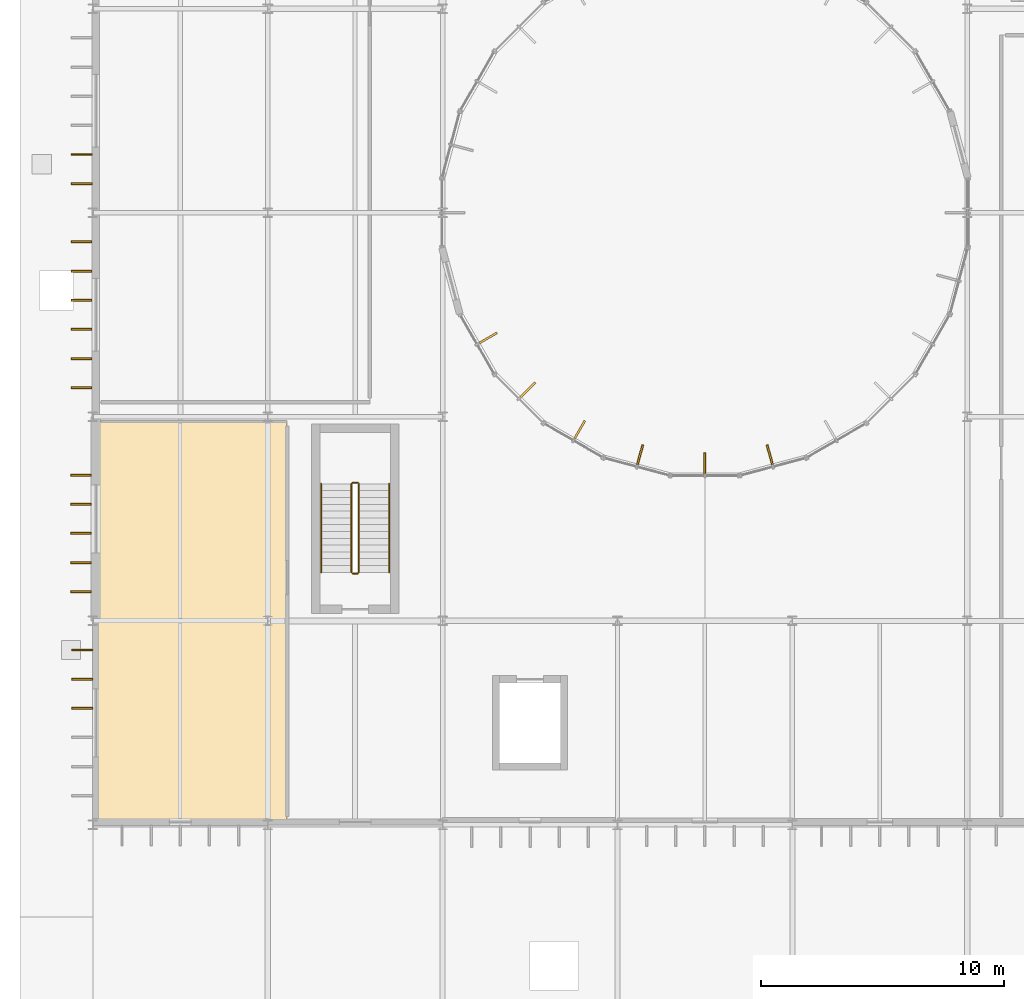
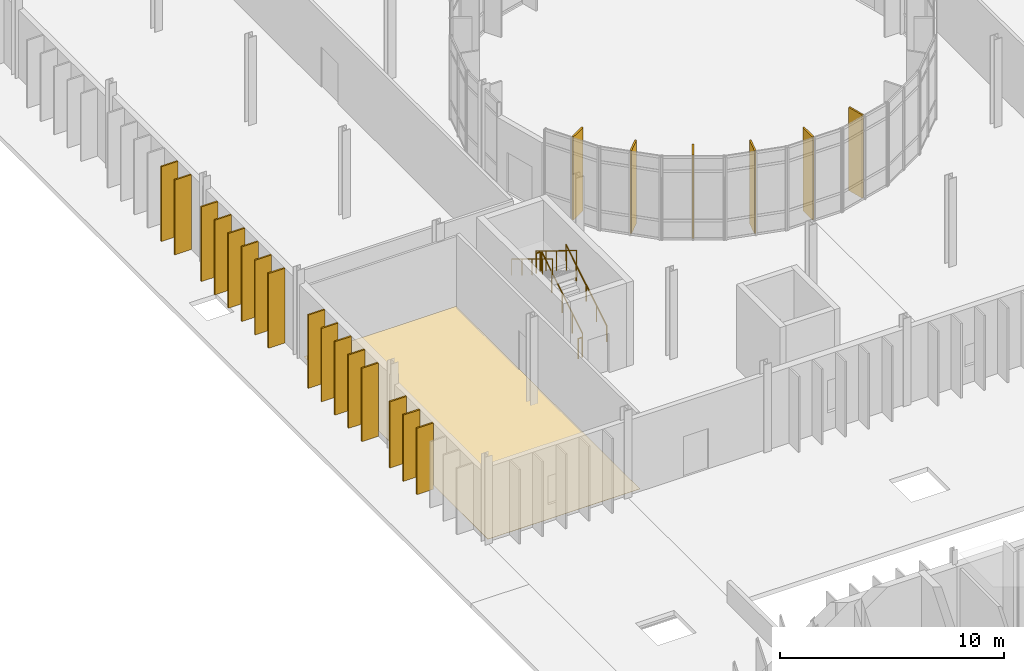
# One storey, part 107 of 118: 22 shading devices, 6 railings, 1 covering.
"""IFC4 building model written with IfcOpenShell, lengths in metres."""

import ifcopenshell
import ifcopenshell.guid

model = None  # the IFC model being written
_history = None  # IfcOwnerHistory: only IFC2X3 demands one
_inside = {}  # id of a spatial element -> (the spatial element, [elements in it])
_under = {}  # id of a project, library or spatial element -> (it, [spatial elements below it])
_declared = {}  # id of a project -> (the project, [libraries it declares])
_typed = {}  # id of a type object -> (the type object, [elements of that type])
_made_of = {}  # id of a material, layer set ... -> (it, [elements and type objects made of it])


def new_model(schema):
    """Start an empty IFC model of exactly this schema.

    Asked for "IFC4X3", IfcOpenShell would pick the latest addendum, in which some entities
    have other attributes; the version numbers below select the first issue.
    IFC2X3 requires an IfcOwnerHistory on every rooted entity: one is made here for all.
    """
    global model, _history
    if schema == "IFC4X3":
        model = ifcopenshell.file(schema_version=(4, 3, 0, 0))
    else:
        model = ifcopenshell.file(schema=schema)
    _inside.clear()
    _under.clear()
    _declared.clear()
    _typed.clear()
    _made_of.clear()
    _history = None
    if model.schema == "IFC2X3":
        org = make("IfcOrganization", Name="unknown")
        user = make(
            "IfcPersonAndOrganization",
            ThePerson=make("IfcPerson", FamilyName="unknown"),
            TheOrganization=org,
        )
        app = make(
            "IfcApplication",
            ApplicationDeveloper=org,
            Version="unknown",
            ApplicationFullName="unknown",
            ApplicationIdentifier="unknown",
        )
        _history = make(
            "IfcOwnerHistory",
            OwningUser=user,
            OwningApplication=app,
            ChangeAction="ADDED",
            CreationDate=0,
        )
    return model


def make(cls, **values):
    """One entity of the class cls with the attributes given. An attribute that is None is left unset."""
    return model.create_entity(
        cls, **{name: value for name, value in values.items() if value is not None}
    )


def rooted(cls, **values):
    """An entity with a GlobalId (a new one), such as an element, a storey or a relation."""
    return make(cls, GlobalId=ifcopenshell.guid.new(), OwnerHistory=_history, **values)


def si_unit(unit_type, name, prefix=None):
    """IfcSIUnit, for example si_unit("LENGTHUNIT", "METRE", prefix="MILLI")."""
    return make("IfcSIUnit", UnitType=unit_type, Prefix=prefix, Name=name)


def assignment(units):
    """IfcUnitAssignment: the units of a project."""
    return None if units is None else make("IfcUnitAssignment", Units=units)


def point(xyz):
    """IfcCartesianPoint."""
    return None if xyz is None else make("IfcCartesianPoint", Coordinates=xyz)


def direction(xyz):
    """IfcDirection."""
    return None if xyz is None else make("IfcDirection", DirectionRatios=xyz)


def frame(location, z_axis=None, x_axis=None):
    """IfcAxis2Placement3D, a coordinate frame: its origin and axes. An axis left out is left unset."""
    return make(
        "IfcAxis2Placement3D",
        Location=point(location),
        Axis=direction(z_axis),
        RefDirection=direction(x_axis),
    )


def frame_2d(location, x_axis=None):
    """IfcAxis2Placement2D, a coordinate frame in the plane: its origin and x axis."""
    return make(
        "IfcAxis2Placement2D", Location=point(location), RefDirection=direction(x_axis)
    )


def origin():
    """The frame at (0, 0, 0) with its axes left unset."""
    return frame((0.0, 0.0, 0.0))


def origin_2d():
    """The frame at (0, 0) in the plane with its x axis left unset."""
    return frame_2d((0.0, 0.0))


def place(relative_to, where):
    """IfcLocalPlacement: puts the frame where relative to a parent placement (None: the world)."""
    return make(
        "IfcLocalPlacement", PlacementRelTo=relative_to, RelativePlacement=where
    )


def context(
    kind, dimensions, precision=None, world=None, true_north=None, identifier=None
):
    """IfcGeometricRepresentationContext, for example the 3D "Model" context."""
    return make(
        "IfcGeometricRepresentationContext",
        ContextIdentifier=identifier,
        ContextType=kind,
        CoordinateSpaceDimension=dimensions,
        Precision=precision,
        WorldCoordinateSystem=world,
        TrueNorth=true_north,
    )


def subcontext(parent, identifier, kind, view, scale=None):
    """IfcGeometricRepresentationSubContext, for example "Body" below "Model"."""
    return make(
        "IfcGeometricRepresentationSubContext",
        ContextIdentifier=identifier,
        ContextType=kind,
        ParentContext=parent,
        TargetScale=scale,
        TargetView=view,
    )


def project(units=None, contexts=None):
    """IfcProject with its units and contexts."""
    return rooted(
        "IfcProject",
        Name="project",
        RepresentationContexts=contexts,
        UnitsInContext=assignment(units),
    )


def spatial(cls, under=None, at=None, **own):
    """A site, building, storey or space (cls), placed at a placement, below another one or the project."""
    s = rooted(cls, ObjectPlacement=at, **own)
    if under is not None:
        _under.setdefault(under.id(), (under, []))[1].append(s)
    return s


def polyline(points):
    """IfcPolyline through the points."""
    return make("IfcPolyline", Points=[point(p) for p in points])


def profile(cls, at=None, kind="AREA", **sizes):
    """A parametric profile (cls). Its sizes go by their IFC names, for example OverallWidth=200.0."""
    return make(cls, ProfileType=kind, Position=at, **sizes)


def rectangle(**sizes):
    """IfcRectangleProfileDef."""
    return profile("IfcRectangleProfileDef", **sizes)


def circle(**sizes):
    """IfcCircleProfileDef."""
    return profile("IfcCircleProfileDef", **sizes)


def outline(outer, holes=None, kind="AREA"):
    """IfcArbitraryClosedProfileDef: a profile drawn as a closed curve; with holes, ...WithVoids."""
    if holes is None:
        return make("IfcArbitraryClosedProfileDef", ProfileType=kind, OuterCurve=outer)
    return make(
        "IfcArbitraryProfileDefWithVoids",
        ProfileType=kind,
        OuterCurve=outer,
        InnerCurves=holes,
    )


def extrude(swept, where, along, depth):
    """IfcExtrudedAreaSolid: the profile swept, set in the frame where, extruded along a direction by depth."""
    return make(
        "IfcExtrudedAreaSolid",
        SweptArea=swept,
        Position=where,
        ExtrudedDirection=direction(along),
        Depth=depth,
    )


def shape(context_of_items, identifier, shape_type, items):
    """IfcShapeRepresentation: the items that make up one representation, for example the "Body"."""
    return make(
        "IfcShapeRepresentation",
        ContextOfItems=context_of_items,
        RepresentationIdentifier=identifier,
        RepresentationType=shape_type,
        Items=items,
    )


def material(Name=None, Category=None):
    """IfcMaterial."""
    return make("IfcMaterial", Name=Name, Category=Category)


def layer(
    of_material, thickness, ventilated=None, Name=None, Category=None, Priority=None
):
    """IfcMaterialLayer: one layer of a wall or slab, of a material (None: an air gap)."""
    return make(
        "IfcMaterialLayer",
        Material=of_material,
        LayerThickness=thickness,
        IsVentilated=ventilated,
        Name=Name,
        Category=Category,
        Priority=Priority,
    )


def layer_set(layers, Name=None):
    """IfcMaterialLayerSet."""
    return make("IfcMaterialLayerSet", MaterialLayers=layers, LayerSetName=Name)


def made_of(thing, what):
    """Note that an element or type object is made of a material, layer set ...; save() writes the relation."""
    if what is not None:
        _made_of.setdefault(what.id(), (what, []))[1].append(thing)
    return thing


def type_object(cls, material=None, **own):
    """A type object (cls), such as IfcWallType, which elements share."""
    return made_of(rooted(cls, **own), material)


def element(
    cls,
    number,
    at=None,
    inside=None,
    cuts=None,
    type_object=None,
    material=None,
    context=None,
    identifier="Body",
    shape_type=None,
    held_by="IfcProductDefinitionShape",
    body=None,
    shapes=None,
    **own,
):
    """One element of the class cls, such as IfcWall. Its Tag is "e" and its number.

    at: its placement. inside: the storey or other place that contains it. cuts: it is an
    opening in that element (IfcRelVoidsElement). A single representation is given by context,
    identifier, shape_type and body (its items); several are given by shapes. held_by: the class
    of the entity that holds the representations. save() writes the other relations.
    """
    e = rooted(cls, Tag="e%d" % number, ObjectPlacement=at, **own)
    if body is not None:
        shapes = [shape(context, identifier, shape_type, body)]
    if shapes is not None:
        e.Representation = make(held_by, Representations=shapes)
    if inside is not None:
        _inside.setdefault(inside.id(), (inside, []))[1].append(e)
    if cuts is not None:
        rooted(
            "IfcRelVoidsElement", RelatingBuildingElement=cuts, RelatedOpeningElement=e
        )
    if type_object is not None:
        _typed.setdefault(type_object.id(), (type_object, []))[1].append(e)
    return made_of(e, material)


def aggregate(whole, parts):
    """IfcRelAggregates: a whole, such as a stair, and the parts it consists of."""
    return rooted("IfcRelAggregates", RelatingObject=whole, RelatedObjects=parts)


def save(model, path):
    """Write the relations noted so far, then the file.

    IfcRelAggregates (storeys below a building ...), IfcRelContainedInSpatialStructure (elements
    in a storey), IfcRelDefinesByType, IfcRelAssociatesMaterial and IfcRelDeclares: one each for
    every whole, place, type object, material and project.
    """
    for whole, parts in _under.values():
        aggregate(whole, parts)
    for where, things in _inside.values():
        rooted(
            "IfcRelContainedInSpatialStructure",
            RelatedElements=things,
            RelatingStructure=where,
        )
    for kind, things in _typed.values():
        rooted("IfcRelDefinesByType", RelatedObjects=things, RelatingType=kind)
    for what, things in _made_of.values():
        rooted("IfcRelAssociatesMaterial", RelatedObjects=things, RelatingMaterial=what)
    for by, libraries in _declared.values():
        rooted("IfcRelDeclares", RelatingContext=by, RelatedDefinitions=libraries)
    model.write(path)


model = new_model("IFC4")

# Units and contexts
model_context = context("Model", 3, precision=1e-05, world=origin(), true_north=direction((0.0, 1.0)))
body_context = subcontext(model_context, "Body", "Model", "MODEL_VIEW")
ifc_project = project(units=[si_unit("LENGTHUNIT", "METRE"), si_unit("AREAUNIT", "SQUARE_METRE"), si_unit("VOLUMEUNIT", "CUBIC_METRE"), si_unit("PLANEANGLEUNIT", "RADIAN"), si_unit("MASSUNIT", "GRAM", prefix="KILO")], contexts=[model_context])

# Site, building, storey
site_placement = place(None, origin())
site = spatial("IfcSite", under=ifc_project, at=site_placement, CompositionType="ELEMENT")
building_placement = place(site_placement, origin())
building = spatial("IfcBuilding", under=site, at=building_placement, Name="Qelthora Terrace Specialist Clinic", CompositionType="ELEMENT")
storey_placement = place(building_placement, origin())
storey = spatial("IfcBuildingStorey", under=building, at=storey_placement, Name="L00", CompositionType="ELEMENT", Elevation=0.0)

# Covering
ifc_material_1 = material(Name="Antimicrobial clinical linoleum flooring", Category="other")
ifc_layer = layer(ifc_material_1, 0.011962890625)
ifc_layer_set = layer_set([ifc_layer], Name="Antimicrobial clinical linoleum flooring")
covering_type = type_object("IfcCoveringType", Name="COV-FLR-LINO-12", PredefinedType="FLOORING", material=ifc_layer_set)
covering_placement = place(storey_placement, origin())
element("IfcCovering", 1, at=covering_placement, inside=storey, type_object=covering_type, Name="Outpatient Specimen and Triage Booths L00-53 resilient linoleum flooring", PredefinedType="FLOORING", context=body_context, shape_type="SweptSolid", body=[
    extrude(outline(polyline([(0.14990234375, 58.949951171875), (0.14990234375, 75.39990234375), (8.0, 75.39990234375), (8.0, 58.949951171875), (0.14990234375, 58.949951171875)])), origin(), (0.0, 0.0, 1.0), 0.011962890625),
])

# Railings
ifc_material_2 = material(Name="Steel S355", Category="steel")
railing_type_1 = type_object("IfcRailingType", Name="RAL-GD-1100-S355", PredefinedType="GUARDRAIL", material=ifc_material_2)
railing_1_placement = place(storey_placement, frame((10.949951171875, 69.199951171875, 0.17138671875)))
element("IfcRailing", 2, at=railing_1_placement, inside=storey, type_object=railing_type_1, Name="L00 ST-01 stair guard 1", PredefinedType="GUARDRAIL", context=body_context, shape_type="SweptSolid", body=[
    extrude(circle(Radius=0.02392578125, at=origin_2d()), frame((0.0, 0.0, 1.076171875), z_axis=(0.0, 0.852865859571, 0.52213008492), x_axis=(-1.0, 0.0, 0.0)), (0.0, 0.0, 1.0), 4.26806640625),
    extrude(circle(Radius=0.02099609375, at=origin_2d()), origin(), (0.0, 0.0, 1.0), 1.052001953125),
    extrude(circle(Radius=0.02099609375, at=origin_2d()), frame((0.0, 0.91015625, 0.55712890625)), (0.0, 0.0, 1.0), 1.052001953125),
    extrude(circle(Radius=0.02099609375, at=origin_2d()), frame((0.0, 1.820068359375, 1.1142578125)), (0.0, 0.0, 1.0), 1.052001953125),
    extrude(circle(Radius=0.02099609375, at=origin_2d()), frame((0.0, 2.72998046875, 1.67138671875)), (0.0, 0.0, 1.0), 1.052001953125),
    extrude(circle(Radius=0.02099609375, at=origin_2d()), frame((0.0, 3.64013671875, 2.228515625)), (0.0, 0.0, 1.0), 1.052001953125),
])
railing_2_placement = place(storey_placement, frame((10.89990234375, 72.889892578125, 2.39990234375)))
element("IfcRailing", 3, at=railing_2_placement, inside=storey, type_object=railing_type_1, Name="L00 ST-01 stair guard 2", PredefinedType="GUARDRAIL", context=body_context, shape_type="SweptSolid", body=[
    extrude(circle(Radius=0.02392578125, at=origin_2d()), frame((0.0, 0.0, 1.076171875), z_axis=(-1.0, 0.0, 0.0), x_axis=(0.0, -1.0, 0.0)), (0.0, 0.0, 1.0), 0.199951171875),
    extrude(circle(Radius=0.02099609375, at=origin_2d()), origin(), (0.0, 0.0, 1.0), 1.052001953125),
    extrude(circle(Radius=0.02099609375, at=origin_2d()), frame((-0.199951171875, 0.0, 0.0)), (0.0, 0.0, 1.0), 1.052001953125),
])
railing_3_placement = place(storey_placement, frame((10.64990234375, 72.840087890625, 2.571533203125)))
element("IfcRailing", 4, at=railing_3_placement, inside=storey, type_object=railing_type_1, Name="L00 ST-01 stair guard 3", PredefinedType="GUARDRAIL", context=body_context, shape_type="SweptSolid", body=[
    extrude(circle(Radius=0.02392578125, at=origin_2d()), frame((0.0, 0.0, 1.076171875), z_axis=(0.0, -0.852865859571, 0.52213008492), x_axis=(1.0, 0.0, 0.0)), (0.0, 0.0, 1.0), 4.26806640625),
    extrude(circle(Radius=0.02099609375, at=origin_2d()), origin(), (0.0, 0.0, 1.0), 1.052001953125),
    extrude(circle(Radius=0.02099609375, at=origin_2d()), frame((0.0, -0.91015625, 0.55712890625)), (0.0, 0.0, 1.0), 1.052001953125),
    extrude(circle(Radius=0.02099609375, at=origin_2d()), frame((0.0, -1.820068359375, 1.1142578125)), (0.0, 0.0, 1.0), 1.052001953125),
    extrude(circle(Radius=0.02099609375, at=origin_2d()), frame((0.0, -2.72998046875, 1.67138671875)), (0.0, 0.0, 1.0), 1.052001953125),
    extrude(circle(Radius=0.02099609375, at=origin_2d()), frame((0.0, -3.64013671875, 2.228515625)), (0.0, 0.0, 1.0), 1.052001953125),
])
railing_4_placement = place(storey_placement, frame((10.89990234375, 69.14990234375, 0.0)))
element("IfcRailing", 5, at=railing_4_placement, inside=storey, type_object=railing_type_1, Name="L00 ST-01 stair guard 4", PredefinedType="GUARDRAIL", context=body_context, shape_type="SweptSolid", body=[
    extrude(circle(Radius=0.02392578125, at=origin_2d()), frame((0.0, 0.0, 1.076171875), z_axis=(-1.0, 0.0, 0.0), x_axis=(0.0, -1.0, 0.0)), (0.0, 0.0, 1.0), 0.199951171875),
    extrude(circle(Radius=0.02099609375, at=origin_2d()), origin(), (0.0, 0.0, 1.0), 1.052001953125),
    extrude(circle(Radius=0.02099609375, at=origin_2d()), frame((-0.199951171875, 0.0, 0.0)), (0.0, 0.0, 1.0), 1.052001953125),
])
railing_type_2 = type_object("IfcRailingType", Name="RAL-HR-900-S355", PredefinedType="HANDRAIL", material=ifc_material_2)
railing_5_placement = place(storey_placement, frame((12.199951171875, 69.199951171875, 0.36083984375)))
element("IfcRailing", 6, at=railing_5_placement, inside=storey, type_object=railing_type_2, Name="L00 ST-01 stair handrail 1", PredefinedType="HANDRAIL", context=body_context, shape_type="SweptSolid", body=[
    extrude(circle(Radius=0.02392578125, at=origin_2d()), frame((0.0, 0.0, 0.8759765625), z_axis=(0.0, 0.852865859571, 0.52213008492), x_axis=(-1.0, 0.0, 0.0)), (0.0, 0.0, 1.0), 4.26806640625),
    extrude(circle(Radius=0.02099609375, at=origin_2d()), origin(), (0.0, 0.0, 1.0), 0.851806640625),
    extrude(circle(Radius=0.02099609375, at=origin_2d()), frame((0.0, 0.91015625, 0.55712890625)), (0.0, 0.0, 1.0), 0.851806640625),
    extrude(circle(Radius=0.02099609375, at=origin_2d()), frame((0.0, 1.820068359375, 1.1142578125)), (0.0, 0.0, 1.0), 0.851806640625),
    extrude(circle(Radius=0.02099609375, at=origin_2d()), frame((0.0, 2.72998046875, 1.67138671875)), (0.0, 0.0, 1.0), 0.851806640625),
    extrude(circle(Radius=0.02099609375, at=origin_2d()), frame((0.0, 3.64013671875, 2.228515625)), (0.0, 0.0, 1.0), 0.851806640625),
])
railing_6_placement = place(storey_placement, frame((9.39990234375, 72.840087890625, 2.7607421875)))
element("IfcRailing", 7, at=railing_6_placement, inside=storey, type_object=railing_type_2, Name="L00 ST-01 stair handrail 2", PredefinedType="HANDRAIL", context=body_context, shape_type="SweptSolid", body=[
    extrude(circle(Radius=0.02392578125, at=origin_2d()), frame((0.0, 0.0, 0.8759765625), z_axis=(0.0, -0.852840387347, 0.522171689878), x_axis=(1.0, 0.0, 0.0)), (0.0, 0.0, 1.0), 4.268310546875),
    extrude(circle(Radius=0.02099609375, at=origin_2d()), origin(), (0.0, 0.0, 1.0), 0.851806640625),
    extrude(circle(Radius=0.02099609375, at=origin_2d()), frame((0.0, -0.91015625, 0.55712890625)), (0.0, 0.0, 1.0), 0.851806640625),
    extrude(circle(Radius=0.02099609375, at=origin_2d()), frame((0.0, -1.820068359375, 1.1142578125)), (0.0, 0.0, 1.0), 0.851806640625),
    extrude(circle(Radius=0.02099609375, at=origin_2d()), frame((0.0, -2.72998046875, 1.671630859375)), (0.0, 0.0, 1.0), 0.851806640625),
    extrude(circle(Radius=0.02099609375, at=origin_2d()), frame((0.0, -3.64013671875, 2.228759765625)), (0.0, 0.0, 1.0), 0.851806640625),
])

# Shading devices
ifc_material_3 = material(Name="Glulam timber GL28h", Category="wood")
shading_device_type = type_object("IfcShadingDeviceType", Name="SHD-FIN-850", PredefinedType="USERDEFINED", material=ifc_material_3)
for number, where, z_axis, x_axis, name in (
    (8, (16.26904296875, 78.84375, 0.0), (0.0, 0.0, 1.0), (0.866025403784, 0.5, 0.0), "Court solar fin FIN-0094"),
    (9, (17.907958984375, 76.707763671875, 0.0), (0.0, 0.0, 1.0), (0.707106781187, 0.707106781187, 0.0), "Court solar fin FIN-0095"),
    (10, (20.043701171875, 75.069091796875, 0.0), (0.0, 0.0, 1.0), (0.5, 0.866025403784, 0.0), "Court solar fin FIN-0096"),
    (11, (22.531005859375, 74.038818359375, 0.0), (0.0, 0.0, 1.0), (0.258819045103, 0.965925826289, 0.0), "Court solar fin FIN-0097"),
    (12, (25.199951171875, 73.6875, 0.0), (0.0, 0.0, 1.0), (0.0, 1.0, 0.0), "Court solar fin FIN-0098"),
    (13, (27.869140625, 74.038818359375, 0.0), (0.0, 0.0, 1.0), (-0.258819045103, 0.965925826289, 0.0), "Court solar fin FIN-0099"),
):
    element("IfcShadingDevice", number, at=place(storey_placement, frame(where, z_axis=z_axis, x_axis=x_axis)), inside=storey, type_object=shading_device_type, Name=name, ObjectType="FIN", PredefinedType="USERDEFINED", context=body_context, shape_type="SweptSolid", body=[
        extrude(rectangle(XDim=0.85009765625, YDim=0.080078125, at=origin_2d()), origin(), (0.0, 0.0, 1.0), 4.544921875),
    ])
for number, where, z_axis, x_axis, name in (
    (14, (-0.43505859375, 63.60009765625, 0.0), (0.0, 0.0, 1.0), (-1.0, 0.0, 0.0), "Exterior solar shading fin FIN-0404"),
    (15, (-0.43505859375, 64.800048828125, 0.0), (0.0, 0.0, 1.0), (-1.0, 0.0, 0.0), "Exterior solar shading fin FIN-0405"),
    (16, (-0.43505859375, 66.0, 0.0), (0.0, 0.0, 1.0), (-1.0, 0.0, 0.0), "Exterior solar shading fin FIN-0406"),
):
    element("IfcShadingDevice", number, at=place(storey_placement, frame(where, z_axis=z_axis, x_axis=x_axis)), inside=storey, type_object=shading_device_type, Name=name, ObjectType="FIN", PredefinedType="USERDEFINED", context=body_context, shape_type="SweptSolid", body=[
        extrude(rectangle(XDim=0.85009765625, YDim=0.080078125, at=origin_2d()), origin(), (0.0, 0.0, 1.0), 3.614990234375),
    ])
for number, where, z_axis, x_axis, name in (
    (17, (-0.4951171875, 68.39990234375, 0.0), (0.0, 0.0, 1.0), (-1.0, 0.0, 0.0), "Exterior solar shading fin FIN-0407"),
    (18, (-0.4951171875, 69.60009765625, 0.0), (0.0, 0.0, 1.0), (-1.0, 0.0, 0.0), "Exterior solar shading fin FIN-0408"),
    (19, (-0.4951171875, 70.800048828125, 0.0), (0.0, 0.0, 1.0), (-1.0, 0.0, 0.0), "Exterior solar shading fin FIN-0409"),
    (20, (-0.4951171875, 72.0, 0.0), (0.0, 0.0, 1.0), (-1.0, 0.0, 0.0), "Exterior solar shading fin FIN-0410"),
    (21, (-0.4951171875, 73.199951171875, 0.0), (0.0, 0.0, 1.0), (-1.0, 0.0, 0.0), "Exterior solar shading fin FIN-0411"),
):
    element("IfcShadingDevice", number, at=place(storey_placement, frame(where, z_axis=z_axis, x_axis=x_axis)), inside=storey, type_object=shading_device_type, Name=name, ObjectType="FIN", PredefinedType="USERDEFINED", context=body_context, shape_type="SweptSolid", body=[
        extrude(rectangle(XDim=0.85009765625, YDim=0.080078125, at=origin_2d()), origin(), (0.0, 0.0, 1.0), 4.0048828125),
    ])
for number, where, z_axis, x_axis, name in (
    (22, (-0.465087890625, 76.800048828125, 0.0), (0.0, 0.0, 1.0), (-1.0, 0.0, 0.0), "Exterior solar shading fin FIN-0412"),
    (23, (-0.465087890625, 78.0, 0.0), (0.0, 0.0, 1.0), (-1.0, 0.0, 0.0), "Exterior solar shading fin FIN-0413"),
    (24, (-0.465087890625, 79.199951171875, 0.0), (0.0, 0.0, 1.0), (-1.0, 0.0, 0.0), "Exterior solar shading fin FIN-0414"),
    (25, (-0.465087890625, 80.39990234375, 0.0), (0.0, 0.0, 1.0), (-1.0, 0.0, 0.0), "Exterior solar shading fin FIN-0415"),
    (26, (-0.465087890625, 81.60009765625, 0.0), (0.0, 0.0, 1.0), (-1.0, 0.0, 0.0), "Exterior solar shading fin FIN-0416"),
    (27, (-0.465087890625, 82.800048828125, 0.0), (0.0, 0.0, 1.0), (-1.0, 0.0, 0.0), "Exterior solar shading fin FIN-0417"),
):
    element("IfcShadingDevice", number, at=place(storey_placement, frame(where, z_axis=z_axis, x_axis=x_axis)), inside=storey, type_object=shading_device_type, Name=name, ObjectType="FIN", PredefinedType="USERDEFINED", context=body_context, shape_type="SweptSolid", body=[
        extrude(rectangle(XDim=0.85009765625, YDim=0.080078125, at=origin_2d()), origin(), (0.0, 0.0, 1.0), 4.075927734375),
    ])
for number, where, z_axis, x_axis, name in (
    (28, (-0.455078125, 85.199951171875, 0.0), (0.0, 0.0, 1.0), (-1.0, 0.0, 0.0), "Exterior solar shading fin FIN-0418"),
    (29, (-0.455078125, 86.39990234375, 0.0), (0.0, 0.0, 1.0), (-1.0, 0.0, 0.0), "Exterior solar shading fin FIN-0419"),
):
    element("IfcShadingDevice", number, at=place(storey_placement, frame(where, z_axis=z_axis, x_axis=x_axis)), inside=storey, type_object=shading_device_type, Name=name, ObjectType="FIN", PredefinedType="USERDEFINED", context=body_context, shape_type="SweptSolid", body=[
        extrude(rectangle(XDim=0.85009765625, YDim=0.080078125, at=origin_2d()), origin(), (0.0, 0.0, 1.0), 4.08203125),
    ])

save(model, "model.ifc")
